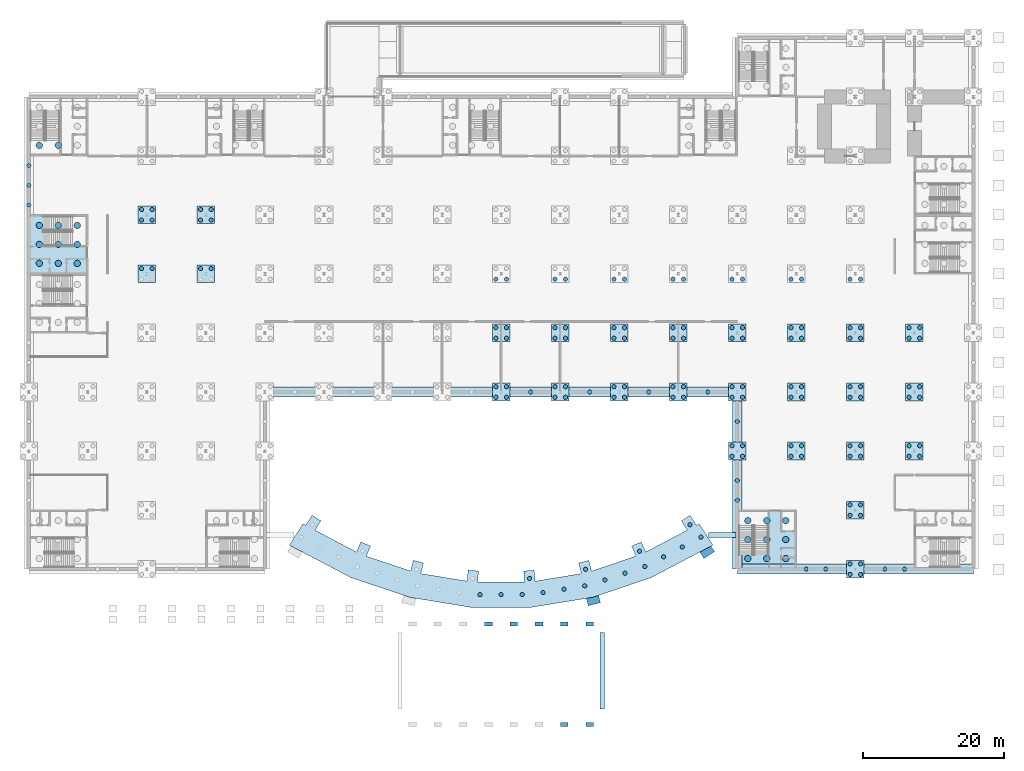
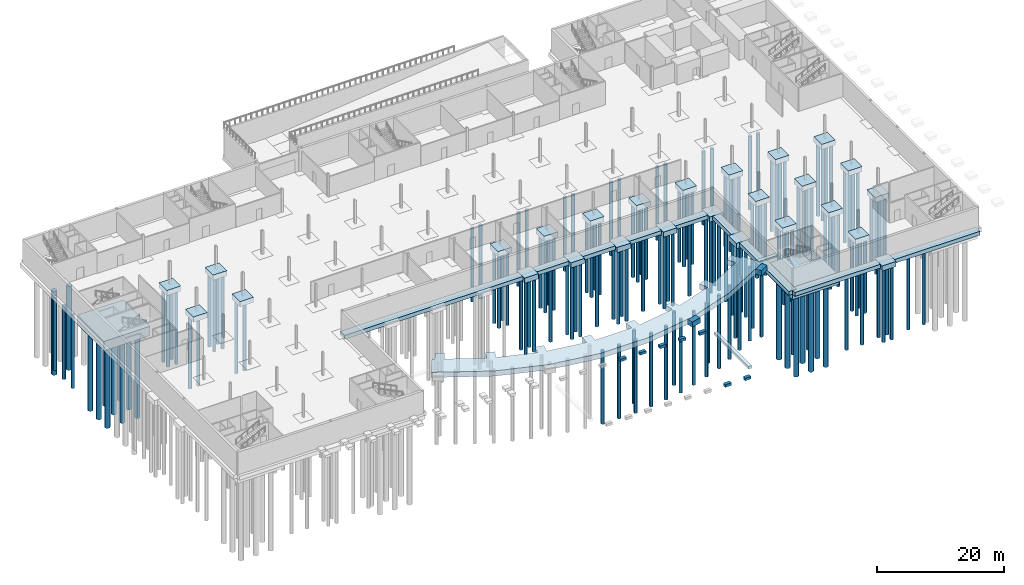
# One storey, part 2 of 35: 164 piles, 43 footings.
"""IFC4 building model written with IfcOpenShell, lengths in metres."""

from ifc_helpers import new_model, si_unit, direction, frame, origin, origin_2d, place, context, subcontext, project, spatial, polyline, rectangle, circle, outline, extrude, material, material_profile, profile_set, type_object, element, save


model = new_model("IFC4")

# Units and contexts
model_context = context("Model", 3, precision=1e-05, world=origin(), true_north=direction((0.0, 1.0)))
body_context = subcontext(model_context, "Body", "Model", "MODEL_VIEW")
ifc_project = project(units=[si_unit("LENGTHUNIT", "METRE"), si_unit("AREAUNIT", "SQUARE_METRE"), si_unit("VOLUMEUNIT", "CUBIC_METRE"), si_unit("PLANEANGLEUNIT", "RADIAN"), si_unit("MASSUNIT", "GRAM", prefix="KILO")], contexts=[model_context])

# Site, building, storey
site_placement = place(None, origin())
site = spatial("IfcSite", under=ifc_project, at=site_placement, CompositionType="ELEMENT")
building_placement = place(site_placement, origin())
building = spatial("IfcBuilding", under=site, at=building_placement, Name="Ardhachandra Cancer Care Centre", CompositionType="ELEMENT")
storey_placement = place(building_placement, frame((0.0, 0.0, -4.5)))
storey = spatial("IfcBuildingStorey", under=building, at=storey_placement, Name="B1", CompositionType="ELEMENT", Elevation=-4.5)

# Piles
ifc_material_1 = material(Name="Concrete M35", Category="concrete")
ifc_material_profile_1 = material_profile(ifc_material_1, circle(Radius=0.300048828125, at=origin_2d()), Name="D600")
ifc_profile_set_1 = profile_set([ifc_material_profile_1], Name="Concrete M35")
pile_type_1 = type_object("IfcPileType", Name="Bored pile D600", PredefinedType="BORED", material=ifc_profile_set_1)
for number, where, z_axis, x_axis, name in (
    (1, (127.64990234375, 28.64990234375, -0.89990234375), (0.0, 0.0, -1.0), (1.0, 0.0, 0.0), "Pile C15-1"),
    (2, (129.14990234375, 28.64990234375, -0.89990234375), (0.0, 0.0, -1.0), (1.0, 0.0, 0.0), "Pile C15-2"),
    (3, (127.64990234375, 30.14990234375, -0.89990234375), (0.0, 0.0, -1.0), (1.0, 0.0, 0.0), "Pile C15-3"),
    (4, (129.14990234375, 30.14990234375, -0.89990234375), (0.0, 0.0, -1.0), (1.0, 0.0, 0.0), "Pile C15-4"),
    (5, (127.64990234375, 37.050048828125, -0.89990234375), (0.0, 0.0, -1.0), (1.0, 0.0, 0.0), "Pile D15-1"),
    (6, (129.14990234375, 37.050048828125, -0.89990234375), (0.0, 0.0, -1.0), (1.0, 0.0, 0.0), "Pile D15-2"),
    (7, (127.64990234375, 38.550048828125, -0.89990234375), (0.0, 0.0, -1.0), (1.0, 0.0, 0.0), "Pile D15-3"),
    (8, (129.14990234375, 38.550048828125, -0.89990234375), (0.0, 0.0, -1.0), (1.0, 0.0, 0.0), "Pile D15-4"),
    (9, (110.85009765625, 45.449951171875, -0.89990234375), (0.0, 0.0, -1.0), (1.0, 0.0, 0.0), "Pile E13-1"),
    (10, (112.35009765625, 45.449951171875, -0.89990234375), (0.0, 0.0, -1.0), (1.0, 0.0, 0.0), "Pile E13-2"),
    (11, (110.85009765625, 46.949951171875, -0.89990234375), (0.0, 0.0, -1.0), (1.0, 0.0, 0.0), "Pile E13-3"),
    (12, (112.35009765625, 46.949951171875, -0.89990234375), (0.0, 0.0, -1.0), (1.0, 0.0, 0.0), "Pile E13-4"),
    (13, (119.25, 45.449951171875, -0.89990234375), (0.0, 0.0, -1.0), (1.0, 0.0, 0.0), "Pile E14-1"),
    (14, (120.75, 45.449951171875, -0.89990234375), (0.0, 0.0, -1.0), (1.0, 0.0, 0.0), "Pile E14-2"),
    (15, (119.25, 46.949951171875, -0.89990234375), (0.0, 0.0, -1.0), (1.0, 0.0, 0.0), "Pile E14-3"),
    (16, (120.75, 46.949951171875, -0.89990234375), (0.0, 0.0, -1.0), (1.0, 0.0, 0.0), "Pile E14-4"),
    (17, (127.64990234375, 45.449951171875, -0.89990234375), (0.0, 0.0, -1.0), (1.0, 0.0, 0.0), "Pile E15-1"),
    (18, (129.14990234375, 45.449951171875, -0.89990234375), (0.0, 0.0, -1.0), (1.0, 0.0, 0.0), "Pile E15-2"),
    (19, (127.64990234375, 46.949951171875, -0.89990234375), (0.0, 0.0, -1.0), (1.0, 0.0, 0.0), "Pile E15-3"),
    (20, (129.14990234375, 46.949951171875, -0.89990234375), (0.0, 0.0, -1.0), (1.0, 0.0, 0.0), "Pile E15-4"),
    (21, (136.050048828125, 45.449951171875, -0.89990234375), (0.0, 0.0, -1.0), (1.0, 0.0, 0.0), "Pile E16-1"),
    (22, (137.550048828125, 45.449951171875, -0.89990234375), (0.0, 0.0, -1.0), (1.0, 0.0, 0.0), "Pile E16-2"),
    (23, (136.050048828125, 46.949951171875, -0.89990234375), (0.0, 0.0, -1.0), (1.0, 0.0, 0.0), "Pile E16-3"),
    (24, (137.550048828125, 46.949951171875, -0.89990234375), (0.0, 0.0, -1.0), (1.0, 0.0, 0.0), "Pile E16-4"),
    (25, (77.25, 53.85009765625, -0.89990234375), (0.0, 0.0, -1.0), (1.0, 0.0, 0.0), "Pile F9-1"),
    (26, (78.75, 53.85009765625, -0.89990234375), (0.0, 0.0, -1.0), (1.0, 0.0, 0.0), "Pile F9-2"),
    (27, (77.25, 55.35009765625, -0.89990234375), (0.0, 0.0, -1.0), (1.0, 0.0, 0.0), "Pile F9-3"),
    (28, (78.75, 55.35009765625, -0.89990234375), (0.0, 0.0, -1.0), (1.0, 0.0, 0.0), "Pile F9-4"),
    (29, (85.64990234375, 53.85009765625, -0.89990234375), (0.0, 0.0, -1.0), (1.0, 0.0, 0.0), "Pile F10-1"),
    (30, (87.14990234375, 53.85009765625, -0.89990234375), (0.0, 0.0, -1.0), (1.0, 0.0, 0.0), "Pile F10-2"),
    (31, (85.64990234375, 55.35009765625, -0.89990234375), (0.0, 0.0, -1.0), (1.0, 0.0, 0.0), "Pile F10-3"),
    (32, (87.14990234375, 55.35009765625, -0.89990234375), (0.0, 0.0, -1.0), (1.0, 0.0, 0.0), "Pile F10-4"),
    (33, (94.050048828125, 53.85009765625, -0.89990234375), (0.0, 0.0, -1.0), (1.0, 0.0, 0.0), "Pile F11-1"),
    (34, (95.550048828125, 53.85009765625, -0.89990234375), (0.0, 0.0, -1.0), (1.0, 0.0, 0.0), "Pile F11-2"),
    (35, (94.050048828125, 55.35009765625, -0.89990234375), (0.0, 0.0, -1.0), (1.0, 0.0, 0.0), "Pile F11-3"),
    (36, (95.550048828125, 55.35009765625, -0.89990234375), (0.0, 0.0, -1.0), (1.0, 0.0, 0.0), "Pile F11-4"),
    (37, (102.449951171875, 53.85009765625, -0.89990234375), (0.0, 0.0, -1.0), (1.0, 0.0, 0.0), "Pile F12-1"),
    (38, (103.949951171875, 53.85009765625, -0.89990234375), (0.0, 0.0, -1.0), (1.0, 0.0, 0.0), "Pile F12-2"),
    (39, (102.449951171875, 55.35009765625, -0.89990234375), (0.0, 0.0, -1.0), (1.0, 0.0, 0.0), "Pile F12-3"),
    (40, (103.949951171875, 55.35009765625, -0.89990234375), (0.0, 0.0, -1.0), (1.0, 0.0, 0.0), "Pile F12-4"),
    (41, (110.85009765625, 53.85009765625, -0.89990234375), (0.0, 0.0, -1.0), (1.0, 0.0, 0.0), "Pile F13-1"),
    (42, (112.35009765625, 53.85009765625, -0.89990234375), (0.0, 0.0, -1.0), (1.0, 0.0, 0.0), "Pile F13-2"),
    (43, (110.85009765625, 55.35009765625, -0.89990234375), (0.0, 0.0, -1.0), (1.0, 0.0, 0.0), "Pile F13-3"),
    (44, (112.35009765625, 55.35009765625, -0.89990234375), (0.0, 0.0, -1.0), (1.0, 0.0, 0.0), "Pile F13-4"),
    (45, (119.25, 53.85009765625, -0.89990234375), (0.0, 0.0, -1.0), (1.0, 0.0, 0.0), "Pile F14-1"),
    (46, (120.75, 53.85009765625, -0.89990234375), (0.0, 0.0, -1.0), (1.0, 0.0, 0.0), "Pile F14-2"),
    (47, (119.25, 55.35009765625, -0.89990234375), (0.0, 0.0, -1.0), (1.0, 0.0, 0.0), "Pile F14-3"),
    (48, (120.75, 55.35009765625, -0.89990234375), (0.0, 0.0, -1.0), (1.0, 0.0, 0.0), "Pile F14-4"),
    (49, (127.64990234375, 53.85009765625, -0.89990234375), (0.0, 0.0, -1.0), (1.0, 0.0, 0.0), "Pile F15-1"),
    (50, (129.14990234375, 53.85009765625, -0.89990234375), (0.0, 0.0, -1.0), (1.0, 0.0, 0.0), "Pile F15-2"),
    (51, (127.64990234375, 55.35009765625, -0.89990234375), (0.0, 0.0, -1.0), (1.0, 0.0, 0.0), "Pile F15-3"),
    (52, (129.14990234375, 55.35009765625, -0.89990234375), (0.0, 0.0, -1.0), (1.0, 0.0, 0.0), "Pile F15-4"),
    (53, (136.050048828125, 53.85009765625, -0.89990234375), (0.0, 0.0, -1.0), (1.0, 0.0, 0.0), "Pile F16-1"),
    (54, (137.550048828125, 53.85009765625, -0.89990234375), (0.0, 0.0, -1.0), (1.0, 0.0, 0.0), "Pile F16-2"),
    (55, (136.050048828125, 55.35009765625, -0.89990234375), (0.0, 0.0, -1.0), (1.0, 0.0, 0.0), "Pile F16-3"),
    (56, (137.550048828125, 55.35009765625, -0.89990234375), (0.0, 0.0, -1.0), (1.0, 0.0, 0.0), "Pile F16-4"),
    (57, (77.25, 62.25, -0.89990234375), (0.0, 0.0, -1.0), (1.0, 0.0, 0.0), "Pile G9-1"),
    (58, (78.75, 62.25, -0.89990234375), (0.0, 0.0, -1.0), (1.0, 0.0, 0.0), "Pile G9-2"),
    (59, (77.25, 63.75, -0.89990234375), (0.0, 0.0, -1.0), (1.0, 0.0, 0.0), "Pile G9-3"),
    (60, (78.75, 63.75, -0.89990234375), (0.0, 0.0, -1.0), (1.0, 0.0, 0.0), "Pile G9-4"),
    (61, (85.64990234375, 62.25, -0.89990234375), (0.0, 0.0, -1.0), (1.0, 0.0, 0.0), "Pile G10-1"),
    (62, (87.14990234375, 62.25, -0.89990234375), (0.0, 0.0, -1.0), (1.0, 0.0, 0.0), "Pile G10-2"),
    (63, (85.64990234375, 63.75, -0.89990234375), (0.0, 0.0, -1.0), (1.0, 0.0, 0.0), "Pile G10-3"),
    (64, (87.14990234375, 63.75, -0.89990234375), (0.0, 0.0, -1.0), (1.0, 0.0, 0.0), "Pile G10-4"),
    (65, (94.050048828125, 62.25, -0.89990234375), (0.0, 0.0, -1.0), (1.0, 0.0, 0.0), "Pile G11-1"),
    (66, (95.550048828125, 62.25, -0.89990234375), (0.0, 0.0, -1.0), (1.0, 0.0, 0.0), "Pile G11-2"),
    (67, (94.050048828125, 63.75, -0.89990234375), (0.0, 0.0, -1.0), (1.0, 0.0, 0.0), "Pile G11-3"),
    (68, (95.550048828125, 63.75, -0.89990234375), (0.0, 0.0, -1.0), (1.0, 0.0, 0.0), "Pile G11-4"),
    (69, (102.449951171875, 62.25, -0.89990234375), (0.0, 0.0, -1.0), (1.0, 0.0, 0.0), "Pile G12-1"),
    (70, (103.949951171875, 62.25, -0.89990234375), (0.0, 0.0, -1.0), (1.0, 0.0, 0.0), "Pile G12-2"),
    (71, (102.449951171875, 63.75, -0.89990234375), (0.0, 0.0, -1.0), (1.0, 0.0, 0.0), "Pile G12-3"),
    (72, (103.949951171875, 63.75, -0.89990234375), (0.0, 0.0, -1.0), (1.0, 0.0, 0.0), "Pile G12-4"),
    (73, (110.85009765625, 62.25, -0.89990234375), (0.0, 0.0, -1.0), (1.0, 0.0, 0.0), "Pile G13-1"),
    (74, (112.35009765625, 62.25, -0.89990234375), (0.0, 0.0, -1.0), (1.0, 0.0, 0.0), "Pile G13-2"),
    (75, (110.85009765625, 63.75, -0.89990234375), (0.0, 0.0, -1.0), (1.0, 0.0, 0.0), "Pile G13-3"),
    (76, (112.35009765625, 63.75, -0.89990234375), (0.0, 0.0, -1.0), (1.0, 0.0, 0.0), "Pile G13-4"),
    (77, (119.25, 62.25, -0.89990234375), (0.0, 0.0, -1.0), (1.0, 0.0, 0.0), "Pile G14-1"),
    (78, (120.75, 62.25, -0.89990234375), (0.0, 0.0, -1.0), (1.0, 0.0, 0.0), "Pile G14-2"),
    (79, (119.25, 63.75, -0.89990234375), (0.0, 0.0, -1.0), (1.0, 0.0, 0.0), "Pile G14-3"),
    (80, (120.75, 63.75, -0.89990234375), (0.0, 0.0, -1.0), (1.0, 0.0, 0.0), "Pile G14-4"),
    (81, (127.64990234375, 62.25, -0.89990234375), (0.0, 0.0, -1.0), (1.0, 0.0, 0.0), "Pile G15-1"),
    (82, (129.14990234375, 62.25, -0.89990234375), (0.0, 0.0, -1.0), (1.0, 0.0, 0.0), "Pile G15-2"),
    (83, (127.64990234375, 63.75, -0.89990234375), (0.0, 0.0, -1.0), (1.0, 0.0, 0.0), "Pile G15-3"),
    (84, (129.14990234375, 63.75, -0.89990234375), (0.0, 0.0, -1.0), (1.0, 0.0, 0.0), "Pile G15-4"),
    (85, (136.050048828125, 62.25, -0.89990234375), (0.0, 0.0, -1.0), (1.0, 0.0, 0.0), "Pile G16-1"),
    (86, (137.550048828125, 62.25, -0.89990234375), (0.0, 0.0, -1.0), (1.0, 0.0, 0.0), "Pile G16-2"),
    (87, (136.050048828125, 63.75, -0.89990234375), (0.0, 0.0, -1.0), (1.0, 0.0, 0.0), "Pile G16-3"),
    (88, (137.550048828125, 63.75, -0.89990234375), (0.0, 0.0, -1.0), (1.0, 0.0, 0.0), "Pile G16-4"),
    (89, (26.85009765625, 72.14990234375, -0.89990234375), (0.0, 0.0, -1.0), (1.0, 0.0, 0.0), "Pile H3-3"),
    (90, (28.35009765625, 72.14990234375, -0.89990234375), (0.0, 0.0, -1.0), (1.0, 0.0, 0.0), "Pile H3-4"),
    (91, (35.25, 72.14990234375, -0.89990234375), (0.0, 0.0, -1.0), (1.0, 0.0, 0.0), "Pile H4-3"),
    (92, (36.75, 72.14990234375, -0.89990234375), (0.0, 0.0, -1.0), (1.0, 0.0, 0.0), "Pile H4-4"),
    (93, (77.25, 70.64990234375, -0.89990234375), (0.0, 0.0, -1.0), (1.0, 0.0, 0.0), "Pile H9-1"),
    (94, (78.75, 70.64990234375, -0.89990234375), (0.0, 0.0, -1.0), (1.0, 0.0, 0.0), "Pile H9-2"),
    (95, (85.64990234375, 70.64990234375, -0.89990234375), (0.0, 0.0, -1.0), (1.0, 0.0, 0.0), "Pile H10-1"),
    (96, (87.14990234375, 70.64990234375, -0.89990234375), (0.0, 0.0, -1.0), (1.0, 0.0, 0.0), "Pile H10-2"),
    (97, (94.050048828125, 70.64990234375, -0.89990234375), (0.0, 0.0, -1.0), (1.0, 0.0, 0.0), "Pile H11-1"),
    (98, (95.550048828125, 70.64990234375, -0.89990234375), (0.0, 0.0, -1.0), (1.0, 0.0, 0.0), "Pile H11-2"),
    (99, (102.449951171875, 70.64990234375, -0.89990234375), (0.0, 0.0, -1.0), (1.0, 0.0, 0.0), "Pile H12-1"),
    (100, (103.949951171875, 70.64990234375, -0.89990234375), (0.0, 0.0, -1.0), (1.0, 0.0, 0.0), "Pile H12-2"),
    (101, (110.85009765625, 70.64990234375, -0.89990234375), (0.0, 0.0, -1.0), (1.0, 0.0, 0.0), "Pile H13-1"),
    (102, (112.35009765625, 70.64990234375, -0.89990234375), (0.0, 0.0, -1.0), (1.0, 0.0, 0.0), "Pile H13-2"),
    (103, (119.25, 70.64990234375, -0.89990234375), (0.0, 0.0, -1.0), (1.0, 0.0, 0.0), "Pile H14-1"),
    (104, (120.75, 70.64990234375, -0.89990234375), (0.0, 0.0, -1.0), (1.0, 0.0, 0.0), "Pile H14-2"),
    (105, (127.64990234375, 70.64990234375, -0.89990234375), (0.0, 0.0, -1.0), (1.0, 0.0, 0.0), "Pile H15-1"),
    (106, (129.14990234375, 70.64990234375, -0.89990234375), (0.0, 0.0, -1.0), (1.0, 0.0, 0.0), "Pile H15-2"),
    (107, (26.85009765625, 79.050048828125, -0.89990234375), (0.0, 0.0, -1.0), (1.0, 0.0, 0.0), "Pile J3-1"),
    (108, (28.35009765625, 79.050048828125, -0.89990234375), (0.0, 0.0, -1.0), (1.0, 0.0, 0.0), "Pile J3-2"),
    (109, (26.85009765625, 80.550048828125, -0.89990234375), (0.0, 0.0, -1.0), (1.0, 0.0, 0.0), "Pile J3-3"),
    (110, (28.35009765625, 80.550048828125, -0.89990234375), (0.0, 0.0, -1.0), (1.0, 0.0, 0.0), "Pile J3-4"),
    (111, (35.25, 79.050048828125, -0.89990234375), (0.0, 0.0, -1.0), (1.0, 0.0, 0.0), "Pile J4-1"),
    (112, (36.75, 79.050048828125, -0.89990234375), (0.0, 0.0, -1.0), (1.0, 0.0, 0.0), "Pile J4-2"),
    (113, (35.25, 80.550048828125, -0.89990234375), (0.0, 0.0, -1.0), (1.0, 0.0, 0.0), "Pile J4-3"),
    (114, (36.75, 80.550048828125, -0.89990234375), (0.0, 0.0, -1.0), (1.0, 0.0, 0.0), "Pile J4-4"),
    (115, (82.199951171875, 54.60009765625, -0.64990234375), (0.0, 0.0, -1.0), (1.0, 0.0, 0.0), "Pile W01-14"),
    (116, (90.60009765625, 54.60009765625, -0.64990234375), (0.0, 0.0, -1.0), (1.0, 0.0, 0.0), "Pile W01-17"),
    (117, (99.0, 54.60009765625, -0.64990234375), (0.0, 0.0, -1.0), (1.0, 0.0, 0.0), "Pile W01-20"),
    (118, (107.39990234375, 54.60009765625, -0.64990234375), (0.0, 0.0, -1.0), (1.0, 0.0, 0.0), "Pile W01-23"),
    (119, (111.60009765625, 50.39990234375, -0.64990234375), (0.0, 0.0, -1.0), (1.0, 0.0, 0.0), "Pile W02-02"),
    (120, (111.60009765625, 42.0, -0.64990234375), (0.0, 0.0, -1.0), (1.0, 0.0, 0.0), "Pile W02-05"),
    (121, (111.60009765625, 39.199951171875, -0.64990234375), (0.0, 0.0, -1.0), (1.0, 0.0, 0.0), "Pile W02-06"),
    (122, (121.39990234375, 29.39990234375, -0.64990234375), (0.0, 0.0, -1.0), (1.0, 0.0, 0.0), "Pile W03-04"),
    (123, (124.199951171875, 29.39990234375, -0.64990234375), (0.0, 0.0, -1.0), (1.0, 0.0, 0.0), "Pile W03-05"),
    (124, (132.60009765625, 29.39990234375, -0.64990234375), (0.0, 0.0, -1.0), (1.0, 0.0, 0.0), "Pile W03-08"),
    (125, (135.39990234375, 29.39990234375, -0.64990234375), (0.0, 0.0, -1.0), (1.0, 0.0, 0.0), "Pile W03-09"),
    (126, (10.800048828125, 86.800048828125, -0.64990234375), (0.0, 0.0, -1.0), (1.0, 0.0, 0.0), "Pile W09-04"),
    (127, (10.800048828125, 84.0, -0.64990234375), (0.0, 0.0, -1.0), (1.0, 0.0, 0.0), "Pile W09-05"),
    (128, (10.800048828125, 81.199951171875, -0.64990234375), (0.0, 0.0, -1.0), (1.0, 0.0, 0.0), "Pile W09-06"),
):
    element("IfcPile", number, at=place(storey_placement, frame(where, z_axis=z_axis, x_axis=x_axis)), inside=storey, type_object=pile_type_1, Name=name, PredefinedType="BORED", context=body_context, shape_type="SweptSolid", body=[
        extrude(circle(Radius=0.300048828125, at=origin_2d()), origin(), (0.0, 0.0, 1.0), 14.10009765625),
    ])
ifc_material_2 = material(Name="Concrete M35", Category="concrete")
ifc_material_profile_2 = material_profile(ifc_material_2, circle(Radius=0.449951171875, at=origin_2d()), Name="D900")
ifc_profile_set_2 = profile_set([ifc_material_profile_2], Name="Concrete M35")
pile_type_2 = type_object("IfcPileType", Name="Bored pile D900", PredefinedType="BORED", material=ifc_profile_set_2)
for number, where, z_axis, x_axis, name in (
    (129, (12.300048828125, 89.699951171875, -1.699951171875), (0.0, 0.0, -1.0), (1.0, 0.0, 0.0), "Pile K4-1"),
    (130, (15.0, 89.699951171875, -1.699951171875), (0.0, 0.0, -1.0), (1.0, 0.0, 0.0), "Pile K4-2"),
    (131, (12.300048828125, 72.89990234375, -1.699951171875), (0.0, 0.0, -1.0), (1.0, 0.0, 0.0), "Pile K6-1"),
    (132, (15.0, 72.89990234375, -1.699951171875), (0.0, 0.0, -1.0), (1.0, 0.0, 0.0), "Pile K6-2"),
    (133, (17.699951171875, 72.89990234375, -1.699951171875), (0.0, 0.0, -1.0), (1.0, 0.0, 0.0), "Pile K6-3"),
    (134, (12.300048828125, 75.60009765625, -1.699951171875), (0.0, 0.0, -1.0), (1.0, 0.0, 0.0), "Pile K6-4"),
    (135, (15.0, 75.60009765625, -1.699951171875), (0.0, 0.0, -1.0), (1.0, 0.0, 0.0), "Pile K6-5"),
    (136, (17.699951171875, 75.60009765625, -1.699951171875), (0.0, 0.0, -1.0), (1.0, 0.0, 0.0), "Pile K6-6"),
    (137, (12.300048828125, 78.300048828125, -1.699951171875), (0.0, 0.0, -1.0), (1.0, 0.0, 0.0), "Pile K6-7"),
    (138, (15.0, 78.300048828125, -1.699951171875), (0.0, 0.0, -1.0), (1.0, 0.0, 0.0), "Pile K6-8"),
    (139, (17.699951171875, 78.300048828125, -1.699951171875), (0.0, 0.0, -1.0), (1.0, 0.0, 0.0), "Pile K6-9"),
    (140, (113.10009765625, 30.89990234375, -1.699951171875), (0.0, 0.0, -1.0), (1.0, 0.0, 0.0), "Pile K11-1"),
    (141, (115.800048828125, 30.89990234375, -1.699951171875), (0.0, 0.0, -1.0), (1.0, 0.0, 0.0), "Pile K11-2"),
    (142, (118.5, 30.89990234375, -1.699951171875), (0.0, 0.0, -1.0), (1.0, 0.0, 0.0), "Pile K11-3"),
    (143, (113.10009765625, 33.60009765625, -1.699951171875), (0.0, 0.0, -1.0), (1.0, 0.0, 0.0), "Pile K11-4"),
    (144, (115.800048828125, 33.60009765625, -1.699951171875), (0.0, 0.0, -1.0), (1.0, 0.0, 0.0), "Pile K11-5"),
    (145, (118.5, 33.60009765625, -1.699951171875), (0.0, 0.0, -1.0), (1.0, 0.0, 0.0), "Pile K11-6"),
    (146, (113.10009765625, 36.300048828125, -1.699951171875), (0.0, 0.0, -1.0), (1.0, 0.0, 0.0), "Pile K11-7"),
    (147, (115.800048828125, 36.300048828125, -1.699951171875), (0.0, 0.0, -1.0), (1.0, 0.0, 0.0), "Pile K11-8"),
    (148, (118.5, 36.300048828125, -1.699951171875), (0.0, 0.0, -1.0), (1.0, 0.0, 0.0), "Pile K11-9"),
):
    element("IfcPile", number, at=place(storey_placement, frame(where, z_axis=z_axis, x_axis=x_axis)), inside=storey, type_object=pile_type_2, Name=name, PredefinedType="BORED", context=body_context, shape_type="SweptSolid", body=[
        extrude(circle(Radius=0.449951171875, at=origin_2d()), origin(), (0.0, 0.0, 1.0), 16.10009765625),
    ])

# Footings
ifc_material_3 = material(Name="Concrete M40", Category="concrete")
footing_type_1 = type_object("IfcFootingType", Name="Buttress pad footing", PredefinedType="PAD_FOOTING", material=ifc_material_3)
footing_1_placement = place(storey_placement, frame((0.0, 0.0, 3.5)))
element("IfcFooting", 149, at=footing_1_placement, inside=storey, type_object=footing_type_1, Name="Buttress pad footing 3", PredefinedType="PAD_FOOTING", context=body_context, shape_type="SweptSolid", body=[
    extrude(outline(polyline([(92.137451171875, 24.612548828125), (91.876708984375, 25.666748046875), (91.0205078125, 25.3798828125), (90.12939453125, 25.234375), (90.390380859375, 24.18017578125), (92.137451171875, 24.612548828125)])), origin(), (0.0, 0.0, 1.0), 1.0),
])
footing_2_placement = place(storey_placement, frame((0.0, 0.0, 3.5)))
element("IfcFooting", 150, at=footing_2_placement, inside=storey, type_object=footing_type_1, Name="Buttress pad footing 4", PredefinedType="PAD_FOOTING", context=body_context, shape_type="SweptSolid", body=[
    extrude(outline(polyline([(108.3720703125, 31.873779296875), (107.867919921875, 32.66748046875), (106.2705078125, 31.8251953125), (106.852783203125, 30.908447265625), (108.3720703125, 31.873779296875)])), origin(), (0.0, 0.0, 1.0), 1.0),
])
ifc_material_4 = material(Name="Concrete M40", Category="concrete")
footing_type_2 = type_object("IfcFootingType", Name="Core raft 8400x8400x1800", PredefinedType="PILE_CAP", material=ifc_material_4)
footing_3_placement = place(storey_placement, frame((0.0, 0.0, -1.800048828125)))
element("IfcFooting", 151, at=footing_3_placement, inside=storey, type_object=footing_type_2, Name="Core raft K6", PredefinedType="PILE_CAP", context=body_context, shape_type="SweptSolid", body=[
    extrude(outline(polyline([(10.800048828125, 71.39990234375), (19.199951171875, 71.39990234375), (19.199951171875, 79.800048828125), (10.800048828125, 79.800048828125), (10.800048828125, 71.39990234375)])), origin(), (0.0, 0.0, 1.0), 1.800048828125),
])
footing_4_placement = place(storey_placement, frame((0.0, 0.0, -1.800048828125)))
element("IfcFooting", 152, at=footing_4_placement, inside=storey, type_object=footing_type_2, Name="Core raft K11", PredefinedType="PILE_CAP", context=body_context, shape_type="SweptSolid", body=[
    extrude(outline(polyline([(111.60009765625, 29.39990234375), (120.0, 29.39990234375), (120.0, 37.800048828125), (111.60009765625, 37.800048828125), (111.60009765625, 29.39990234375)]), holes=[polyline([(117.949951171875, 34.85009765625), (119.800048828125, 34.85009765625), (119.800048828125, 37.60009765625), (117.949951171875, 37.60009765625), (117.949951171875, 34.85009765625)])]), origin(), (0.0, 0.0, 1.0), 1.800048828125),
])
ifc_material_5 = material(Name="Concrete M40", Category="concrete")
footing_type_3 = type_object("IfcFootingType", Name="Court edge strip footing 700 x 300", PredefinedType="STRIP_FOOTING", material=ifc_material_5)
footing_5_placement = place(storey_placement, frame((0.0, 0.0, 3.75)))
element("IfcFooting", 153, at=footing_5_placement, inside=storey, type_object=footing_type_3, Name="Court edge footing east", PredefinedType="STRIP_FOOTING", context=body_context, shape_type="SweptSolid", body=[
    extrude(outline(polyline([(107.49853515625, 33.879638671875), (111.375, 33.879638671875), (111.375, 34.57958984375), (107.49853515625, 34.57958984375), (107.49853515625, 33.879638671875)])), origin(), (0.0, 0.0, 1.0), 0.300048828125),
])
ifc_material_6 = material(Name="Concrete M40", Category="concrete")
footing_type_4 = type_object("IfcFootingType", Name="Pavilion plinth strip footing 600 x 500", PredefinedType="STRIP_FOOTING", material=ifc_material_6)
for number, where, z_axis, x_axis, name in (
    (154, (87.0, 7.300048828125, 3.75), (0.0, 0.0, 1.0), (1.0, 0.0, 0.0), "Pavilion plinth footing S7"),
    (155, (90.60009765625, 7.300048828125, 3.75), (0.0, 0.0, 1.0), (1.0, 0.0, 0.0), "Pavilion plinth footing S8"),
    (156, (76.199951171875, 21.60009765625, 3.75), (0.0, 0.0, 1.0), (1.0, 0.0, 0.0), "Pavilion plinth footing N4"),
    (157, (79.800048828125, 21.60009765625, 3.75), (0.0, 0.0, 1.0), (1.0, 0.0, 0.0), "Pavilion plinth footing N5"),
    (158, (83.39990234375, 21.60009765625, 3.75), (0.0, 0.0, 1.0), (1.0, 0.0, 0.0), "Pavilion plinth footing N6"),
    (159, (87.0, 21.60009765625, 3.75), (0.0, 0.0, 1.0), (1.0, 0.0, 0.0), "Pavilion plinth footing N7"),
    (160, (90.60009765625, 21.60009765625, 3.75), (0.0, 0.0, 1.0), (1.0, 0.0, 0.0), "Pavilion plinth footing N8"),
):
    element("IfcFooting", number, at=place(storey_placement, frame(where, z_axis=z_axis, x_axis=x_axis)), inside=storey, type_object=footing_type_4, Name=name, PredefinedType="STRIP_FOOTING", context=body_context, shape_type="SweptSolid", body=[
        extrude(rectangle(XDim=1.10009765625, YDim=0.60009765625, at=origin_2d()), origin(), (0.0, 0.0, 1.0), 0.5),
    ])
footing_6_placement = place(storey_placement, frame((92.39990234375, 14.925048828125, 3.75), z_axis=(0.0, 0.0, 1.0), x_axis=(1.0, 0.0, 0.0)))
element("IfcFooting", 161, at=footing_6_placement, inside=storey, type_object=footing_type_4, Name="Pavilion plinth footing E1", PredefinedType="STRIP_FOOTING", context=body_context, shape_type="SweptSolid", body=[
    extrude(rectangle(XDim=0.60009765625, YDim=10.85009765625, at=origin_2d()), origin(), (0.0, 0.0, 1.0), 0.5),
])
ifc_material_7 = material(Name="Concrete M40", Category="concrete")
footing_type_5 = type_object("IfcFootingType", Name="Pile cap 2500x2500x1000", PredefinedType="PILE_CAP", material=ifc_material_7)
for number, where, z_axis, x_axis, name in (
    (162, (128.39990234375, 29.39990234375, -1.0), (0.0, 0.0, 1.0), (1.0, 0.0, 0.0), "Pile cap C15"),
    (163, (128.39990234375, 37.800048828125, -1.0), (0.0, 0.0, 1.0), (1.0, 0.0, 0.0), "Pile cap D15"),
    (164, (111.60009765625, 46.199951171875, -1.0), (0.0, 0.0, 1.0), (1.0, 0.0, 0.0), "Pile cap E13"),
    (165, (120.0, 46.199951171875, -1.0), (0.0, 0.0, 1.0), (1.0, 0.0, 0.0), "Pile cap E14"),
    (166, (128.39990234375, 46.199951171875, -1.0), (0.0, 0.0, 1.0), (1.0, 0.0, 0.0), "Pile cap E15"),
    (167, (136.800048828125, 46.199951171875, -1.0), (0.0, 0.0, 1.0), (1.0, 0.0, 0.0), "Pile cap E16"),
    (168, (78.0, 54.60009765625, -1.0), (0.0, 0.0, 1.0), (1.0, 0.0, 0.0), "Pile cap F9"),
    (169, (86.39990234375, 54.60009765625, -1.0), (0.0, 0.0, 1.0), (1.0, 0.0, 0.0), "Pile cap F10"),
    (170, (94.800048828125, 54.60009765625, -1.0), (0.0, 0.0, 1.0), (1.0, 0.0, 0.0), "Pile cap F11"),
    (171, (103.199951171875, 54.60009765625, -1.0), (0.0, 0.0, 1.0), (1.0, 0.0, 0.0), "Pile cap F12"),
    (172, (111.60009765625, 54.60009765625, -1.0), (0.0, 0.0, 1.0), (1.0, 0.0, 0.0), "Pile cap F13"),
    (173, (120.0, 54.60009765625, -1.0), (0.0, 0.0, 1.0), (1.0, 0.0, 0.0), "Pile cap F14"),
    (174, (128.39990234375, 54.60009765625, -1.0), (0.0, 0.0, 1.0), (1.0, 0.0, 0.0), "Pile cap F15"),
    (175, (136.800048828125, 54.60009765625, -1.0), (0.0, 0.0, 1.0), (1.0, 0.0, 0.0), "Pile cap F16"),
    (176, (78.0, 63.0, -1.0), (0.0, 0.0, 1.0), (1.0, 0.0, 0.0), "Pile cap G9"),
    (177, (86.39990234375, 63.0, -1.0), (0.0, 0.0, 1.0), (1.0, 0.0, 0.0), "Pile cap G10"),
    (178, (94.800048828125, 63.0, -1.0), (0.0, 0.0, 1.0), (1.0, 0.0, 0.0), "Pile cap G11"),
    (179, (103.199951171875, 63.0, -1.0), (0.0, 0.0, 1.0), (1.0, 0.0, 0.0), "Pile cap G12"),
    (180, (111.60009765625, 63.0, -1.0), (0.0, 0.0, 1.0), (1.0, 0.0, 0.0), "Pile cap G13"),
    (181, (120.0, 63.0, -1.0), (0.0, 0.0, 1.0), (1.0, 0.0, 0.0), "Pile cap G14"),
    (182, (128.39990234375, 63.0, -1.0), (0.0, 0.0, 1.0), (1.0, 0.0, 0.0), "Pile cap G15"),
    (183, (136.800048828125, 63.0, -1.0), (0.0, 0.0, 1.0), (1.0, 0.0, 0.0), "Pile cap G16"),
    (184, (27.60009765625, 71.39990234375, -1.0), (0.0, 0.0, 1.0), (1.0, 0.0, 0.0), "Pile cap H3"),
    (185, (36.0, 71.39990234375, -1.0), (0.0, 0.0, 1.0), (1.0, 0.0, 0.0), "Pile cap H4"),
    (186, (27.60009765625, 79.800048828125, -1.0), (0.0, 0.0, 1.0), (1.0, 0.0, 0.0), "Pile cap J3"),
    (187, (36.0, 79.800048828125, -1.0), (0.0, 0.0, 1.0), (1.0, 0.0, 0.0), "Pile cap J4"),
):
    element("IfcFooting", number, at=place(storey_placement, frame(where, z_axis=z_axis, x_axis=x_axis)), inside=storey, type_object=footing_type_5, Name=name, PredefinedType="PILE_CAP", context=body_context, shape_type="SweptSolid", body=[
        extrude(rectangle(XDim=2.5, YDim=2.5, at=origin_2d()), origin(), (0.0, 0.0, 1.0), 1.0),
    ])
ifc_material_8 = material(Name="Concrete M40", Category="concrete")
footing_type_6 = type_object("IfcFootingType", Name="Strip footing 1400x750", PredefinedType="STRIP_FOOTING", material=ifc_material_8)
footing_7_placement = place(storey_placement, frame((0.0, 0.0, -0.75)))
element("IfcFooting", 188, at=footing_7_placement, inside=storey, type_object=footing_type_6, Name="Strip footing 01", PredefinedType="STRIP_FOOTING", context=body_context, shape_type="SweptSolid", body=[
    extrude(outline(polyline([(44.39990234375, 53.89990234375), (111.60009765625, 53.89990234375), (111.60009765625, 55.300048828125), (44.39990234375, 55.300048828125), (44.39990234375, 53.89990234375)])), origin(), (0.0, 0.0, 1.0), 0.75),
])
footing_8_placement = place(storey_placement, frame((0.0, 0.0, -0.75)))
element("IfcFooting", 189, at=footing_8_placement, inside=storey, type_object=footing_type_6, Name="Strip footing 02", PredefinedType="STRIP_FOOTING", context=body_context, shape_type="SweptSolid", body=[
    extrude(outline(polyline([(110.89990234375, 54.60009765625), (110.89990234375, 29.39990234375), (112.300048828125, 29.39990234375), (112.300048828125, 54.60009765625), (110.89990234375, 54.60009765625)])), origin(), (0.0, 0.0, 1.0), 0.75),
])
footing_9_placement = place(storey_placement, frame((0.0, 0.0, -0.75)))
element("IfcFooting", 190, at=footing_9_placement, inside=storey, type_object=footing_type_6, Name="Strip footing 03", PredefinedType="STRIP_FOOTING", context=body_context, shape_type="SweptSolid", body=[
    extrude(outline(polyline([(111.60009765625, 28.699951171875), (145.199951171875, 28.699951171875), (145.199951171875, 30.10009765625), (111.60009765625, 30.10009765625), (111.60009765625, 28.699951171875)])), origin(), (0.0, 0.0, 1.0), 0.75),
])
ifc_material_9 = material(Name="Concrete M40", Category="concrete")
footing_type_7 = type_object("IfcFootingType", Name="Strip footing under court wall", PredefinedType="STRIP_FOOTING", material=ifc_material_9)
footing_10_placement = place(storey_placement, frame((0.0, 0.0, 3.5)))
element("IfcFooting", 191, at=footing_10_placement, inside=storey, type_object=footing_type_7, Name="Court wall strip footing", PredefinedType="STRIP_FOOTING", context=body_context, shape_type="SweptSolid", body=[
    extrude(outline(polyline([(73.297119140625, 29.249755859375), (73.1708984375, 27.691162109375), (66.589599609375, 28.7646484375), (66.96533203125, 30.28271484375), (65.50927734375, 30.64306640625), (65.133544921875, 29.125), (58.81103515625, 31.244384765625), (59.42626953125, 32.681884765625), (58.047119140625, 33.27197265625), (57.43212890625, 31.834228515625), (51.533203125, 34.94384765625), (52.371826171875, 36.263916015625), (51.105712890625, 37.068359375), (50.201904296875, 35.645751953125), (49.80615234375, 35.8544921875), (47.869140625, 32.805908203125), (56.677001953125, 28.162841796875), (64.9794921875, 25.3798828125), (73.621826171875, 23.969970703125), (82.378173828125, 23.969970703125), (91.0205078125, 25.3798828125), (99.322998046875, 28.162841796875), (108.130859375, 32.805908203125), (106.19384765625, 35.8544921875), (105.798095703125, 35.645751953125), (104.894287109375, 37.068359375), (103.628173828125, 36.263916015625), (104.466796875, 34.94384765625), (98.56787109375, 31.834228515625), (97.952880859375, 33.27197265625), (96.57373046875, 32.681884765625), (97.18896484375, 31.244384765625), (90.866455078125, 29.125), (90.49072265625, 30.64306640625), (89.03466796875, 30.28271484375), (89.410400390625, 28.7646484375), (82.8291015625, 27.691162109375), (82.702880859375, 29.249755859375), (81.207763671875, 29.128662109375), (81.333984375, 27.56982421875), (74.666015625, 27.56982421875), (74.792236328125, 29.128662109375), (73.297119140625, 29.249755859375)])), origin(), (0.0, 0.0, 1.0), 1.0),
])

# Piles
ifc_material_10 = material(Name="Concrete M40", Category="concrete")
ifc_material_profile_3 = material_profile(ifc_material_10, circle(Radius=0.300048828125, at=origin_2d()), Name="D600")
ifc_profile_set_3 = profile_set([ifc_material_profile_3], Name="Concrete M40")
pile_type_3 = type_object("IfcPileType", Name="Wall bored pile D600", PredefinedType="BORED", material=ifc_profile_set_3)
for number, where, z_axis, x_axis, name in (
    (192, (75.0, 25.769775390625, 3.60009765625), (0.0, 0.0, -1.0), (1.0, 0.0, 0.0), "Court wall pile 10"),
    (193, (78.0, 25.769775390625, 3.60009765625), (0.0, 0.0, -1.0), (1.0, 0.0, 0.0), "Court wall pile 11"),
    (194, (81.0, 25.769775390625, 3.60009765625), (0.0, 0.0, -1.0), (1.0, 0.0, 0.0), "Court wall pile 12"),
    (195, (83.97705078125, 26.054443359375, 3.60009765625), (0.0, 0.0, -1.0), (1.0, 0.0, 0.0), "Court wall pile 13"),
    (196, (86.937744140625, 26.53759765625, 3.60009765625), (0.0, 0.0, -1.0), (1.0, 0.0, 0.0), "Court wall pile 14"),
    (197, (89.898681640625, 27.0205078125, 3.60009765625), (0.0, 0.0, -1.0), (1.0, 0.0, 0.0), "Court wall pile 15"),
    (198, (92.770263671875, 27.86474609375, 3.60009765625), (0.0, 0.0, -1.0), (1.0, 0.0, 0.0), "Court wall pile 16"),
    (199, (95.614501953125, 28.818115234375, 3.60009765625), (0.0, 0.0, -1.0), (1.0, 0.0, 0.0), "Court wall pile 17"),
    (200, (98.458984375, 29.771484375, 3.60009765625), (0.0, 0.0, -1.0), (1.0, 0.0, 0.0), "Court wall pile 18"),
    (201, (101.123291015625, 31.146484375, 3.60009765625), (0.0, 0.0, -1.0), (1.0, 0.0, 0.0), "Court wall pile 19"),
    (202, (103.777099609375, 32.545654296875, 3.60009765625), (0.0, 0.0, -1.0), (1.0, 0.0, 0.0), "Court wall pile 20"),
    (203, (106.430908203125, 33.944580078125, 3.60009765625), (0.0, 0.0, -1.0), (1.0, 0.0, 0.0), "Court wall pile 21"),
    (204, (82.046142578125, 28.06982421875, 3.60009765625), (0.0, 0.0, -1.0), (1.0, 0.0, 0.0), "Court wall pile 26"),
    (205, (90.032470703125, 29.372802734375, 3.60009765625), (0.0, 0.0, -1.0), (1.0, 0.0, 0.0), "Court wall pile 27"),
    (206, (97.705078125, 31.944580078125, 3.60009765625), (0.0, 0.0, -1.0), (1.0, 0.0, 0.0), "Court wall pile 28"),
    (207, (104.86328125, 35.71826171875, 3.60009765625), (0.0, 0.0, -1.0), (1.0, 0.0, 0.0), "Court wall pile 29"),
):
    element("IfcPile", number, at=place(storey_placement, frame(where, z_axis=z_axis, x_axis=x_axis)), inside=storey, type_object=pile_type_3, Name=name, PredefinedType="BORED", context=body_context, shape_type="SweptSolid", body=[
        extrude(circle(Radius=0.300048828125, at=origin_2d()), origin(), (0.0, 0.0, 1.0), 14.10009765625),
    ])

save(model, "model.ifc")
